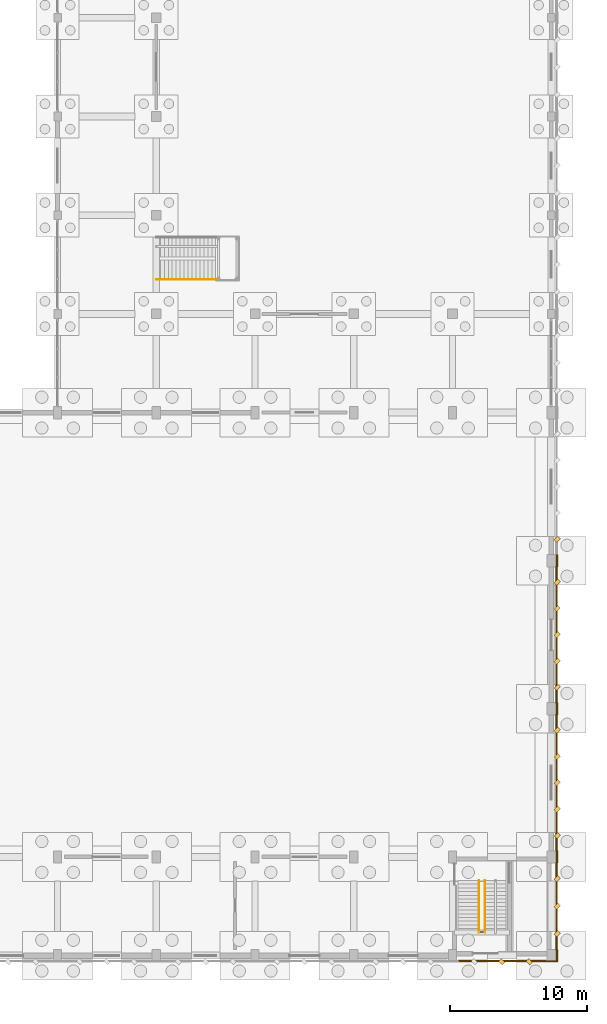
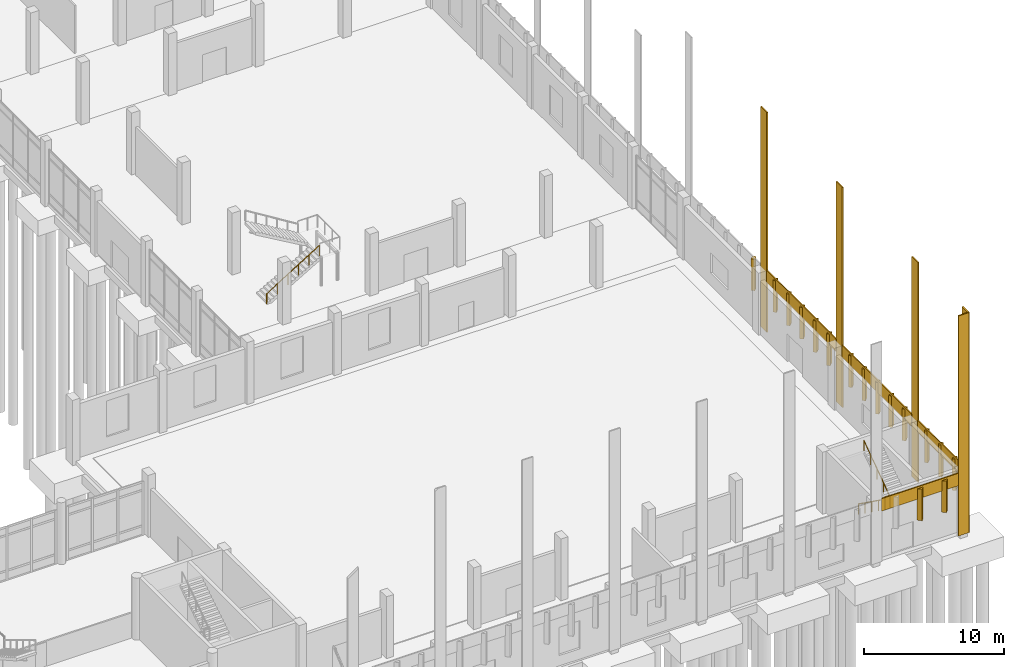
# One storey, part 106 of 109: 25 coverings, 4 railings.
"""IFC4 building model written with IfcOpenShell, lengths in metres."""

from ifc_helpers import new_model, si_unit, direction, frame, origin, origin_2d, place, context, subcontext, project, spatial, rectangle, circle, extrude, material, layer, layer_set, type_object, element, save


model = new_model("IFC4")

# Units and contexts
model_context = context("Model", 3, precision=1e-05, world=origin(), true_north=direction((0.0, 1.0)))
body_context = subcontext(model_context, "Body", "Model", "MODEL_VIEW")
ifc_project = project(units=[si_unit("LENGTHUNIT", "METRE"), si_unit("AREAUNIT", "SQUARE_METRE"), si_unit("VOLUMEUNIT", "CUBIC_METRE"), si_unit("PLANEANGLEUNIT", "RADIAN"), si_unit("MASSUNIT", "GRAM", prefix="KILO")], contexts=[model_context])

# Site, building, storey
site_placement = place(None, origin())
site = spatial("IfcSite", under=ifc_project, at=site_placement, CompositionType="ELEMENT")
building_placement = place(site_placement, origin())
building = spatial("IfcBuilding", under=site, at=building_placement, Name="Lusvemor Sports Hall", CompositionType="ELEMENT")
storey_placement = place(building_placement, origin())
storey = spatial("IfcBuildingStorey", under=building, at=storey_placement, Name="L00", CompositionType="ELEMENT", Elevation=0.0)

# Coverings
ifc_material_1 = material(Name="Precast granite-faced Concrete C40/50 architectural cladding", Category="masonry")
ifc_layer_1 = layer(ifc_material_1, 0.055908203125)
ifc_layer_set_1 = layer_set([ifc_layer_1], Name="Precast granite-faced Concrete C40/50 architectural cladding")
covering_type_1 = type_object("IfcCoveringType", Name="CLAD_RELIEF_FRIEZE", PredefinedType="CLADDING", material=ifc_layer_set_1)
covering_1_placement = place(storey_placement, frame((169.199951171875, -0.409912109375, 0.0), z_axis=(0.0, 0.0, 1.0), x_axis=(1.0, 0.0, 0.0)))
element("IfcCovering", 1, at=covering_1_placement, inside=storey, type_object=covering_type_1, Name="Art Nouveau Pilaster Cladding Casing 143", PredefinedType="CLADDING", context=body_context, shape_type="SweptSolid", body=[
    extrude(rectangle(XDim=0.8798828125, YDim=0.10009765625, at=origin_2d()), origin(), (0.0, 0.0, 1.0), 19.199951171875),
])
for number, where, z_axis, x_axis, name in (
    (2, (169.610107421875, 0.0, 0.0), (0.0, 0.0, 1.0), (1.0, 0.0, 0.0), "Art Nouveau Pilaster Cladding Casing 257"),
    (3, (169.610107421875, 7.199951171875, 0.0), (0.0, 0.0, 1.0), (1.0, 0.0, 0.0), "Art Nouveau Pilaster Cladding Casing 258"),
    (4, (169.610107421875, 18.0, 0.0), (0.0, 0.0, 1.0), (1.0, 0.0, 0.0), "Art Nouveau Pilaster Cladding Casing 259"),
    (5, (169.610107421875, 28.800048828125, 0.0), (0.0, 0.0, 1.0), (1.0, 0.0, 0.0), "Art Nouveau Pilaster Cladding Casing 260"),
):
    element("IfcCovering", number, at=place(storey_placement, frame(where, z_axis=z_axis, x_axis=x_axis)), inside=storey, type_object=covering_type_1, Name=name, PredefinedType="CLADDING", context=body_context, shape_type="SweptSolid", body=[
        extrude(rectangle(XDim=0.10009765625, YDim=0.8798828125, at=origin_2d()), origin(), (0.0, 0.0, 1.0), 19.199951171875),
    ])
ifc_material_2 = material(Name="Emerald polychrome glazed ceramic cladding on Concrete C40/50 backing", Category="concrete")
ifc_layer_2 = layer(ifc_material_2, 0.0458984375)
ifc_layer_set_2 = layer_set([ifc_layer_2], Name="Emerald polychrome glazed ceramic cladding on Concrete C40/50 backing")
covering_type_2 = type_object("IfcCoveringType", Name="CLAD_WAVE_EMERALD", PredefinedType="CLADDING", material=ifc_layer_set_2)
covering_2_placement = place(storey_placement, frame((165.60009765625, -0.43994140625, 2.550048828125), z_axis=(0.0, 0.0, 1.0), x_axis=(0.707106781187, 0.707106781187, 0.0)))
element("IfcCovering", 6, at=covering_2_placement, inside=storey, type_object=covering_type_2, Name="Patterned Diamond Cladding Rib 242", PredefinedType="CLADDING", context=body_context, shape_type="SweptSolid", body=[
    extrude(rectangle(XDim=0.280029296875, YDim=0.3798828125, at=origin_2d()), origin(), (0.0, 0.0, 1.0), 2.75),
])
for number, where, z_axis, x_axis, name in (
    (7, (169.639892578125, 3.60009765625, 2.550048828125), (0.0, 0.0, 1.0), (0.707106781187, 0.707106781187, 0.0), "Patterned Diamond Cladding Rib 264"),
    (8, (169.639892578125, 10.679931640625, 2.550048828125), (0.0, 0.0, 1.0), (0.707106781187, 0.707106781187, 0.0), "Patterned Diamond Cladding Rib 280"),
    (9, (169.639892578125, 14.52001953125, 2.550048828125), (0.0, 0.0, 1.0), (0.707106781187, 0.707106781187, 0.0), "Patterned Diamond Cladding Rib 282"),
    (10, (169.639892578125, 21.47998046875, 2.550048828125), (0.0, 0.0, 1.0), (0.707106781187, 0.707106781187, 0.0), "Patterned Diamond Cladding Rib 304"),
    (11, (169.639892578125, 25.320068359375, 2.550048828125), (0.0, 0.0, 1.0), (0.707106781187, 0.707106781187, 0.0), "Patterned Diamond Cladding Rib 306"),
):
    element("IfcCovering", number, at=place(storey_placement, frame(where, z_axis=z_axis, x_axis=x_axis)), inside=storey, type_object=covering_type_2, Name=name, PredefinedType="CLADDING", context=body_context, shape_type="SweptSolid", body=[
        extrude(rectangle(XDim=0.3798828125, YDim=0.280029296875, at=origin_2d()), origin(), (0.0, 0.0, 1.0), 2.75),
    ])
ifc_material_3 = material(Name="Warm terracotta Art Nouveau ceramic cladding on Concrete C40/50 backing", Category="masonry")
ifc_layer_3 = layer(ifc_material_3, 0.0380859375)
ifc_layer_set_3 = layer_set([ifc_layer_3], Name="Warm terracotta Art Nouveau ceramic cladding on Concrete C40/50 backing")
covering_type_3 = type_object("IfcCoveringType", Name="CLAD_WAVE_OCHRE", PredefinedType="CLADDING", material=ifc_layer_set_3)
covering_3_placement = place(storey_placement, frame((165.60009765625, -0.389892578125, 4.3798828125), z_axis=(0.0, 0.0, 1.0), x_axis=(1.0, 0.0, 0.0)))
element("IfcCovering", 12, at=covering_3_placement, inside=storey, type_object=covering_type_3, Name="Art Nouveau Spandrel Cornice 240", PredefinedType="CLADDING", context=body_context, shape_type="SweptSolid", body=[
    extrude(rectangle(XDim=6.3798828125, YDim=0.090087890625, at=origin_2d()), origin(), (0.0, 0.0, 1.0), 1.080078125),
])
covering_4_placement = place(storey_placement, frame((169.590087890625, 3.60009765625, 4.3798828125), z_axis=(0.0, 0.0, 1.0), x_axis=(1.0, 0.0, 0.0)))
element("IfcCovering", 13, at=covering_4_placement, inside=storey, type_object=covering_type_3, Name="Art Nouveau Spandrel Cornice 262", PredefinedType="CLADDING", context=body_context, shape_type="SweptSolid", body=[
    extrude(rectangle(XDim=0.090087890625, YDim=6.3798828125, at=origin_2d()), origin(), (0.0, 0.0, 1.0), 1.080078125),
])
for number, where, z_axis, x_axis, name in (
    (14, (169.590087890625, 12.60009765625, 4.3798828125), (0.0, 0.0, 1.0), (1.0, 0.0, 0.0), "Art Nouveau Spandrel Cornice 278"),
    (15, (169.590087890625, 23.39990234375, 4.3798828125), (0.0, 0.0, 1.0), (1.0, 0.0, 0.0), "Art Nouveau Spandrel Cornice 302"),
):
    element("IfcCovering", number, at=place(storey_placement, frame(where, z_axis=z_axis, x_axis=x_axis)), inside=storey, type_object=covering_type_3, Name=name, PredefinedType="CLADDING", context=body_context, shape_type="SweptSolid", body=[
        extrude(rectangle(XDim=0.090087890625, YDim=9.97998046875, at=origin_2d()), origin(), (0.0, 0.0, 1.0), 1.080078125),
    ])
ifc_material_4 = material(Name="Warm terracotta Art Nouveau ceramic cladding on Concrete C40/50 backing", Category="masonry")
ifc_layer_4 = layer(ifc_material_4, 0.449951171875)
ifc_layer_set_4 = layer_set([ifc_layer_4], Name="Warm terracotta Art Nouveau ceramic cladding on Concrete C40/50 backing")
covering_type_4 = type_object("IfcCoveringType", Name="FIN_BRISE_CER_450", PredefinedType="MOLDING", material=ifc_layer_set_4)
covering_5_placement = place(storey_placement, frame((167.60009765625, -0.43994140625, 2.550048828125), z_axis=(0.0, 0.0, 1.0), x_axis=(0.707106781187, 0.707106781187, 0.0)))
element("IfcCovering", 16, at=covering_5_placement, inside=storey, type_object=covering_type_4, Name="Patterned Diamond Cladding Rib 243", PredefinedType="MOLDING", context=body_context, shape_type="SweptSolid", body=[
    extrude(rectangle(XDim=0.280029296875, YDim=0.3798828125, at=origin_2d()), origin(), (0.0, 0.0, 1.0), 2.75),
])
for number, where, z_axis, x_axis, name in (
    (17, (169.639892578125, 1.60009765625, 2.550048828125), (0.0, 0.0, 1.0), (0.707106781187, 0.707106781187, 0.0), "Patterned Diamond Cladding Rib 263"),
    (18, (169.639892578125, 5.60009765625, 2.550048828125), (0.0, 0.0, 1.0), (0.707106781187, 0.707106781187, 0.0), "Patterned Diamond Cladding Rib 265"),
    (19, (169.639892578125, 8.760009765625, 2.550048828125), (0.0, 0.0, 1.0), (0.707106781187, 0.707106781187, 0.0), "Patterned Diamond Cladding Rib 279"),
    (20, (169.639892578125, 12.60009765625, 2.550048828125), (0.0, 0.0, 1.0), (0.707106781187, 0.707106781187, 0.0), "Patterned Diamond Cladding Rib 281"),
    (21, (169.639892578125, 16.43994140625, 2.550048828125), (0.0, 0.0, 1.0), (0.707106781187, 0.707106781187, 0.0), "Patterned Diamond Cladding Rib 283"),
    (22, (169.639892578125, 19.56005859375, 2.550048828125), (0.0, 0.0, 1.0), (0.707106781187, 0.707106781187, 0.0), "Patterned Diamond Cladding Rib 303"),
    (23, (169.639892578125, 23.39990234375, 2.550048828125), (0.0, 0.0, 1.0), (0.707106781187, 0.707106781187, 0.0), "Patterned Diamond Cladding Rib 305"),
    (24, (169.639892578125, 27.239990234375, 2.550048828125), (0.0, 0.0, 1.0), (0.707106781187, 0.707106781187, 0.0), "Patterned Diamond Cladding Rib 307"),
    (25, (169.639892578125, 30.360107421875, 2.550048828125), (0.0, 0.0, 1.0), (0.707106781187, 0.707106781187, 0.0), "Patterned Diamond Cladding Rib 327"),
):
    element("IfcCovering", number, at=place(storey_placement, frame(where, z_axis=z_axis, x_axis=x_axis)), inside=storey, type_object=covering_type_4, Name=name, PredefinedType="MOLDING", context=body_context, shape_type="SweptSolid", body=[
        extrude(rectangle(XDim=0.3798828125, YDim=0.280029296875, at=origin_2d()), origin(), (0.0, 0.0, 1.0), 2.75),
    ])

# Railings
ifc_material_5 = material(Name="Bronze-finished wrought-steel Art Nouveau balustrade", Category="steel")
railing_type_1 = type_object("IfcRailingType", Name="RAIL_HANDRAIL_092", PredefinedType="HANDRAIL", material=ifc_material_5)
railing_1_placement = place(storey_placement, frame((163.929931640625, 5.47998046875, 0.0)))
element("IfcRailing", 26, at=railing_1_placement, inside=storey, type_object=railing_type_1, Name="Stair STR-C8-L00 Handrail F1", PredefinedType="HANDRAIL", context=body_context, shape_type="SweptSolid", body=[
    extrude(circle(Radius=0.02392578125, at=origin_2d()), frame((0.0, 0.0, 0.89599609375), z_axis=(0.0, -0.813740573448, 0.581228250453), x_axis=(1.0, 0.0, 0.0)), (0.0, 0.0, 1.0), 4.645263671875),
    extrude(circle(Radius=0.02099609375, at=origin_2d()), origin(), (0.0, 0.0, 1.0), 0.871826171875),
    extrude(circle(Radius=0.02099609375, at=origin_2d()), frame((0.0, -0.945068359375, 0.675048828125)), (0.0, 0.0, 1.0), 0.871826171875),
    extrude(circle(Radius=0.02099609375, at=origin_2d()), frame((0.0, -1.89013671875, 1.35009765625)), (0.0, 0.0, 1.0), 0.871826171875),
    extrude(circle(Radius=0.02099609375, at=origin_2d()), frame((0.0, -2.8349609375, 2.02490234375)), (0.0, 0.0, 1.0), 0.871826171875),
    extrude(circle(Radius=0.02099609375, at=origin_2d()), frame((0.0, -3.780029296875, 2.699951171875)), (0.0, 0.0, 1.0), 0.871826171875),
])
railing_2_placement = place(storey_placement, frame((164.3701171875, 1.699951171875, 2.699951171875)))
element("IfcRailing", 27, at=railing_2_placement, inside=storey, type_object=railing_type_1, Name="Stair STR-C8-L00 Handrail F2", PredefinedType="HANDRAIL", context=body_context, shape_type="SweptSolid", body=[
    extrude(circle(Radius=0.02392578125, at=origin_2d()), frame((0.0, 0.0, 0.89599609375), z_axis=(0.0, 0.813740573448, 0.581228250453), x_axis=(-1.0, 0.0, 0.0)), (0.0, 0.0, 1.0), 4.645263671875),
    extrude(circle(Radius=0.02099609375, at=origin_2d()), origin(), (0.0, 0.0, 1.0), 0.871826171875),
    extrude(circle(Radius=0.02099609375, at=origin_2d()), frame((0.0, 0.945068359375, 0.675048828125)), (0.0, 0.0, 1.0), 0.871826171875),
    extrude(circle(Radius=0.02099609375, at=origin_2d()), frame((0.0, 1.89013671875, 1.35009765625)), (0.0, 0.0, 1.0), 0.871826171875),
    extrude(circle(Radius=0.02099609375, at=origin_2d()), frame((0.0, 2.8349609375, 2.02490234375)), (0.0, 0.0, 1.0), 0.871826171875),
    extrude(circle(Radius=0.02099609375, at=origin_2d()), frame((0.0, 3.780029296875, 2.699951171875)), (0.0, 0.0, 1.0), 0.871826171875),
])
railing_3_placement = place(storey_placement, frame((140.39990234375, 49.31005859375, 0.0)))
element("IfcRailing", 28, at=railing_3_placement, inside=storey, type_object=railing_type_1, Name="STR-CLIMB-GAL Handrail F1", PredefinedType="HANDRAIL", context=body_context, shape_type="SweptSolid", body=[
    extrude(circle(Radius=0.02392578125, at=origin_2d()), frame((0.0, 0.0, 0.89599609375), z_axis=(0.849649743971, 0.0, 0.527347430608), x_axis=(0.0, 1.0, 0.0)), (0.0, 0.0, 1.0), 5.119873046875),
    extrude(circle(Radius=0.02099609375, at=origin_2d()), origin(), (0.0, 0.0, 1.0), 0.871826171875),
    extrude(circle(Radius=0.02099609375, at=origin_2d()), frame((0.8701171875, 0.0, 0.5400390625)), (0.0, 0.0, 1.0), 0.871826171875),
    extrude(circle(Radius=0.02099609375, at=origin_2d()), frame((1.739990234375, 0.0, 1.080078125)), (0.0, 0.0, 1.0), 0.871826171875),
    extrude(circle(Radius=0.02099609375, at=origin_2d()), frame((2.610107421875, 0.0, 1.619873046875)), (0.0, 0.0, 1.0), 0.871826171875),
    extrude(circle(Radius=0.02099609375, at=origin_2d()), frame((3.47998046875, 0.0, 2.159912109375)), (0.0, 0.0, 1.0), 0.871826171875),
    extrude(circle(Radius=0.02099609375, at=origin_2d()), frame((4.35009765625, 0.0, 2.699951171875)), (0.0, 0.0, 1.0), 0.871826171875),
])
ifc_material_6 = material(Name="Bronze-finished wrought-steel Art Nouveau balustrade", Category="steel")
railing_type_2 = type_object("IfcRailingType", Name="RAIL_STAIR_GUARD_112", PredefinedType="GUARDRAIL", material=ifc_material_6)
railing_4_placement = place(storey_placement, frame((163.929931640625, 1.719970703125, 2.699951171875)))
element("IfcRailing", 29, at=railing_4_placement, inside=storey, type_object=railing_type_2, Name="Stair STR-C8-L00 Mid Well Guard", PredefinedType="GUARDRAIL", context=body_context, shape_type="SweptSolid", body=[
    extrude(circle(Radius=0.02392578125, at=origin_2d()), frame((0.0, 0.0, 1.09619140625), z_axis=(1.0, 0.0, 0.0), x_axis=(0.0, 1.0, 0.0)), (0.0, 0.0, 1.0), 0.440185546875),
    extrude(circle(Radius=0.02099609375, at=origin_2d()), origin(), (0.0, 0.0, 1.0), 1.072021484375),
    extrude(circle(Radius=0.02099609375, at=origin_2d()), frame((0.440185546875, 0.0, 0.0)), (0.0, 0.0, 1.0), 1.072021484375),
])

save(model, "model.ifc")
